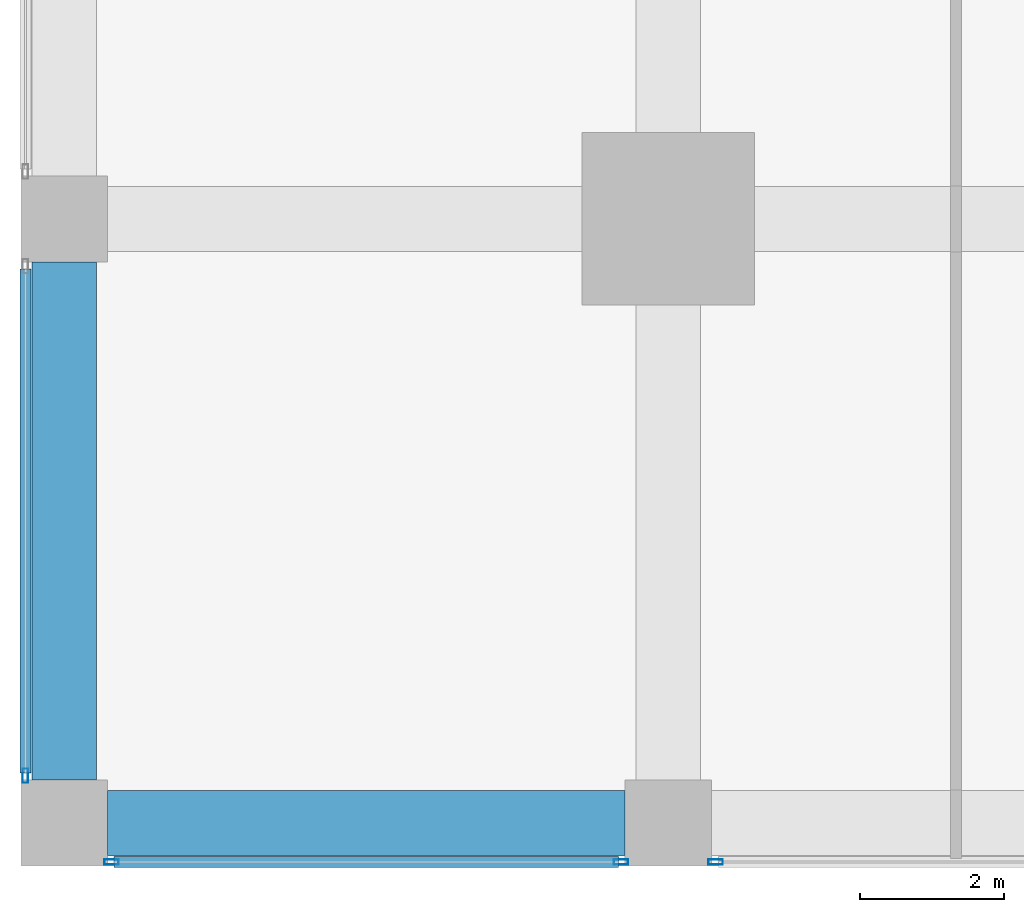
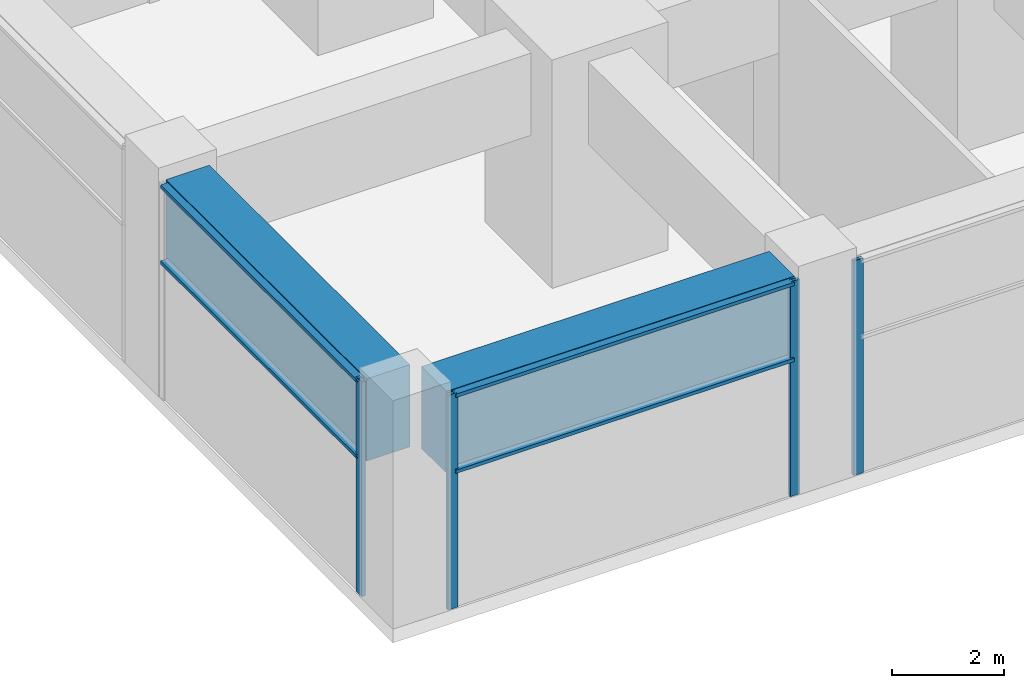
# One storey, part 3 of 49: 8 members, 2 beams, 3 elements without a shape of their own.
"""IFC4 building model written with IfcOpenShell, lengths in metres."""

from ifc_helpers import new_model, si_unit, direction, frame, origin, origin_2d, place, context, subcontext, project, spatial, rectangle, hollow_rectangle, extrude, material, material_profile, profile_set, type_object, element, aggregate, save


model = new_model("IFC4")

# Units and contexts
model_context = context("Model", 3, precision=1e-05, world=origin(), true_north=direction((0.0, 1.0)))
body_context = subcontext(model_context, "Body", "Model", "MODEL_VIEW")
ifc_project = project(units=[si_unit("LENGTHUNIT", "METRE"), si_unit("AREAUNIT", "SQUARE_METRE"), si_unit("VOLUMEUNIT", "CUBIC_METRE"), si_unit("PLANEANGLEUNIT", "RADIAN"), si_unit("MASSUNIT", "GRAM", prefix="KILO")], contexts=[model_context])

# Site, building, storey
site_placement = place(None, origin())
site = spatial("IfcSite", under=ifc_project, at=site_placement, CompositionType="ELEMENT")
building_placement = place(site_placement, origin())
building = spatial("IfcBuilding", under=site, at=building_placement, Name="Rekha Terrace Tower", CompositionType="ELEMENT")
storey_placement = place(building_placement, frame((0.0, 0.0, 10.39990234375)))
storey = spatial("IfcBuildingStorey", under=building, at=storey_placement, Name="L02", CompositionType="ELEMENT", Elevation=10.39990234375)

# Curtain wall, members
ifc_material_1 = material(Name="Aluminium framing", Category="aluminium")
curtain_wall_type = type_object("IfcCurtainWallType", Name="CW4 podium shopfront glazing", PredefinedType="USERDEFINED", material=ifc_material_1)
curtain_wall_1_placement = place(storey_placement, origin())
curtain_wall_1 = element("IfcCurtainWall", 1, at=curtain_wall_1_placement, inside=storey, type_object=curtain_wall_type, Name="CW4 shopfront curtain wall", ObjectType="SHOPFRONT CURTAIN WALL", PredefinedType="USERDEFINED")
ifc_material_2 = material(Name="Aluminium mullion section", Category="aluminium")
ifc_material_profile_1 = material_profile(ifc_material_2, hollow_rectangle(XDim=0.074951171875, YDim=0.199951171875, WallThickness=0.00390625, at=origin_2d()), Name="AL RHS 75x200")
ifc_profile_set_1 = profile_set([ifc_material_profile_1], Name="Aluminium mullion section")
member_type_1 = type_object("IfcMemberType", Name="CW4 mullion RHS 75 x 200", PredefinedType="MULLION", material=ifc_profile_set_1)
member_1_placement = place(storey_placement, frame((0.657470703125, -0.5400390625, 0.0), z_axis=(0.0, 0.0, 1.0), x_axis=(0.0, 1.0, 0.0)))
member_1 = element("IfcMember", 2, at=member_1_placement, type_object=member_type_1, Name="CW4 mullion 1", PredefinedType="MULLION", context=body_context, shape_type="SweptSolid", body=[
    extrude(hollow_rectangle(XDim=0.074951171875, YDim=0.199951171875, WallThickness=0.00390625, at=origin_2d()), origin(), (0.0, 0.0, 1.0), 4.7001953125),
])
member_2_placement = place(storey_placement, frame((7.742431640625, -0.5400390625, 0.0), z_axis=(0.0, 0.0, 1.0), x_axis=(0.0, 1.0, 0.0)))
member_2 = element("IfcMember", 3, at=member_2_placement, type_object=member_type_1, Name="CW4 mullion 2", PredefinedType="MULLION", context=body_context, shape_type="SweptSolid", body=[
    extrude(hollow_rectangle(XDim=0.074951171875, YDim=0.199951171875, WallThickness=0.00390625, at=origin_2d()), origin(), (0.0, 0.0, 1.0), 4.7001953125),
])

# Curtain wall, member
curtain_wall_2_placement = place(storey_placement, origin())
curtain_wall_2 = element("IfcCurtainWall", 4, at=curtain_wall_2_placement, inside=storey, type_object=curtain_wall_type, Name="CW4 shopfront curtain wall", ObjectType="SHOPFRONT CURTAIN WALL", PredefinedType="USERDEFINED")
member_3_placement = place(storey_placement, frame((9.0576171875, -0.5400390625, 0.0), z_axis=(0.0, 0.0, 1.0), x_axis=(0.0, 1.0, 0.0)))
member_3 = element("IfcMember", 5, at=member_3_placement, type_object=member_type_1, Name="CW4 mullion 1", PredefinedType="MULLION", context=body_context, shape_type="SweptSolid", body=[
    extrude(hollow_rectangle(XDim=0.074951171875, YDim=0.199951171875, WallThickness=0.00390625, at=origin_2d()), origin(), (0.0, 0.0, 1.0), 4.7001953125),
])
aggregate(curtain_wall_2, [member_3])

curtain_wall_3_placement = place(storey_placement, origin())
curtain_wall_3 = element("IfcCurtainWall", 6, at=curtain_wall_3_placement, inside=storey, type_object=curtain_wall_type, Name="CW4 shopfront curtain wall", ObjectType="SHOPFRONT CURTAIN WALL", PredefinedType="USERDEFINED")
member_4_placement = place(storey_placement, frame((-0.5400390625, 0.657470703125, 0.0), z_axis=(0.0, 0.0, 1.0), x_axis=(1.0, 0.0, 0.0)))
member_4 = element("IfcMember", 7, at=member_4_placement, type_object=member_type_1, Name="CW4 mullion 2", PredefinedType="MULLION", context=body_context, shape_type="SweptSolid", body=[
    extrude(hollow_rectangle(XDim=0.074951171875, YDim=0.199951171875, WallThickness=0.00390625, at=origin_2d()), origin(), (0.0, 0.0, 1.0), 4.7001953125),
])

# Member
ifc_material_3 = material(Name="Aluminium transom section", Category="aluminium")
ifc_material_profile_2 = material_profile(ifc_material_3, hollow_rectangle(XDim=0.14990234375, YDim=0.074951171875, WallThickness=0.0029296875, at=origin_2d()), Name="AL RHS 150x75")
ifc_profile_set_2 = profile_set([ifc_material_profile_2], Name="Aluminium transom section")
member_type_2 = type_object("IfcMemberType", Name="CW4 transom RHS 75 x 150", PredefinedType="USERDEFINED", material=ifc_profile_set_2)
member_5_placement = place(storey_placement, frame((0.695068359375, -0.5400390625, 3.0), z_axis=(1.0, 0.0, 0.0), x_axis=(0.0, 1.0, 0.0)))
member_5 = element("IfcMember", 8, at=member_5_placement, type_object=member_type_2, Name="CW4 transom 1.2", ObjectType="TRANSOM", PredefinedType="USERDEFINED", context=body_context, shape_type="SweptSolid", body=[
    extrude(hollow_rectangle(XDim=0.14990234375, YDim=0.074951171875, WallThickness=0.0029296875, at=origin_2d()), origin(), (0.0, 0.0, 1.0), 7.010009765625),
])

member_6_placement = place(storey_placement, frame((0.695068359375, -0.5400390625, 4.66259765625), z_axis=(1.0, 0.0, 0.0), x_axis=(0.0, 1.0, 0.0)))
member_6 = element("IfcMember", 9, at=member_6_placement, type_object=member_type_2, Name="CW4 transom 1.3", ObjectType="TRANSOM", PredefinedType="USERDEFINED", context=body_context, shape_type="SweptSolid", body=[
    extrude(hollow_rectangle(XDim=0.14990234375, YDim=0.074951171875, WallThickness=0.0029296875, at=origin_2d()), origin(), (0.0, 0.0, 1.0), 7.010009765625),
])

aggregate(curtain_wall_1, [member_1, member_2, member_5, member_6])

member_7_placement = place(storey_placement, frame((-0.5400390625, 7.705078125, 3.0), z_axis=(0.0, -1.0, 0.0), x_axis=(1.0, 0.0, 0.0)))
member_7 = element("IfcMember", 10, at=member_7_placement, type_object=member_type_2, Name="CW4 transom 1.2", ObjectType="TRANSOM", PredefinedType="USERDEFINED", context=body_context, shape_type="SweptSolid", body=[
    extrude(hollow_rectangle(XDim=0.14990234375, YDim=0.074951171875, WallThickness=0.0029296875, at=origin_2d()), origin(), (0.0, 0.0, 1.0), 7.010009765625),
])

member_8_placement = place(storey_placement, frame((-0.5400390625, 7.705078125, 4.66259765625), z_axis=(0.0, -1.0, 0.0), x_axis=(1.0, 0.0, 0.0)))
member_8 = element("IfcMember", 11, at=member_8_placement, type_object=member_type_2, Name="CW4 transom 1.3", ObjectType="TRANSOM", PredefinedType="USERDEFINED", context=body_context, shape_type="SweptSolid", body=[
    extrude(hollow_rectangle(XDim=0.14990234375, YDim=0.074951171875, WallThickness=0.0029296875, at=origin_2d()), origin(), (0.0, 0.0, 1.0), 7.010009765625),
])

aggregate(curtain_wall_3, [member_4, member_7, member_8])

# Beams
ifc_material_4 = material(Name="Concrete M60", Category="concrete")
ifc_material_profile_3 = material_profile(ifc_material_4, rectangle(XDim=0.89990234375, YDim=1.800048828125, at=origin_2d()), Name="RC 900x1800")
ifc_profile_set_3 = profile_set([ifc_material_profile_3], Name="Concrete M60")
beam_type = type_object("IfcBeamType", Name="G1 900x1800 podium floor beam", PredefinedType="BEAM", material=ifc_profile_set_3)
for number, where, z_axis, x_axis, name in (
    (12, (0.60009765625, 0.0, 3.800048828125), (1.0, 0.0, 0.0), (0.0, 1.0, 0.0), "Beam G1 1A-2A under L03"),
    (13, (0.0, 0.60009765625, 3.800048828125), (0.0, 1.0, 0.0), (-1.0, 0.0, 0.0), "Beam G1 1A-1B under L03"),
):
    element("IfcBeam", number, at=place(storey_placement, frame(where, z_axis=z_axis, x_axis=x_axis)), inside=storey, type_object=beam_type, Name=name, PredefinedType="BEAM", context=body_context, shape_type="SweptSolid", body=[
        extrude(rectangle(XDim=0.89990234375, YDim=1.800048828125, at=origin_2d()), origin(), (0.0, 0.0, 1.0), 7.199951171875),
    ])

save(model, "model.ifc")
